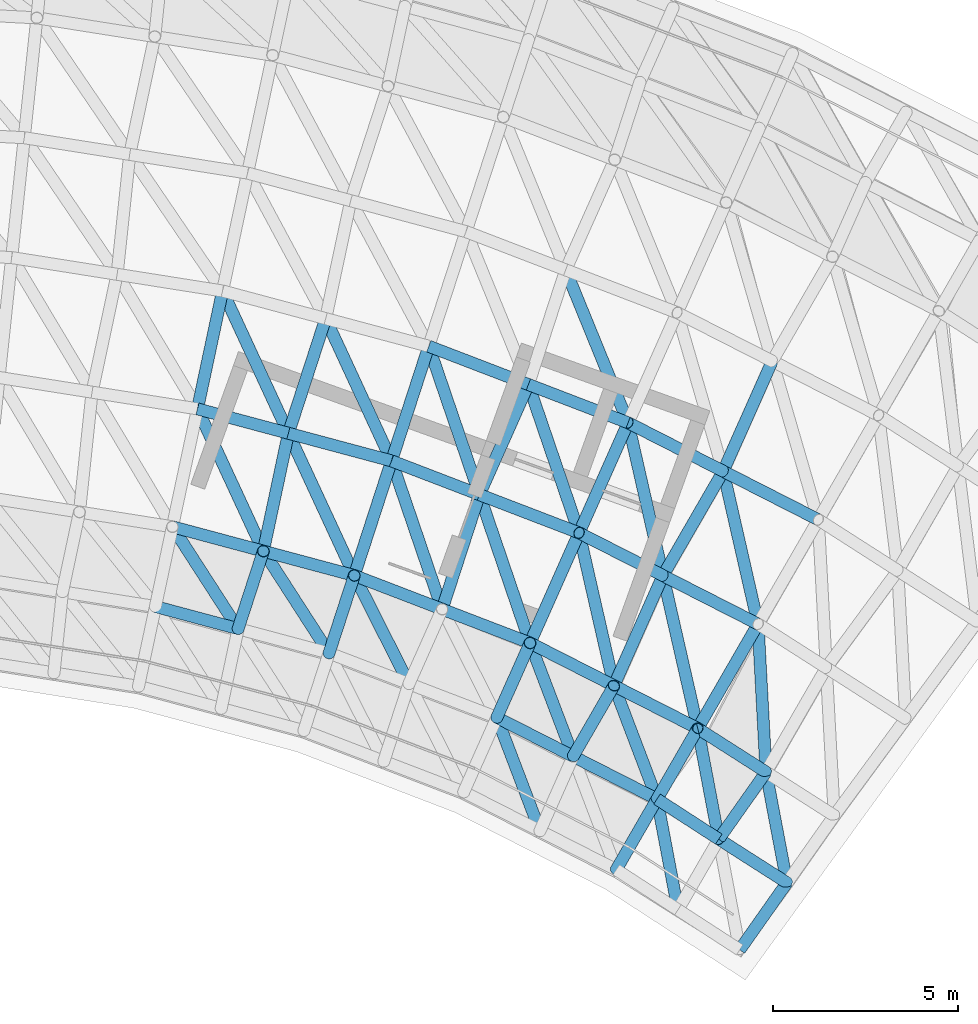
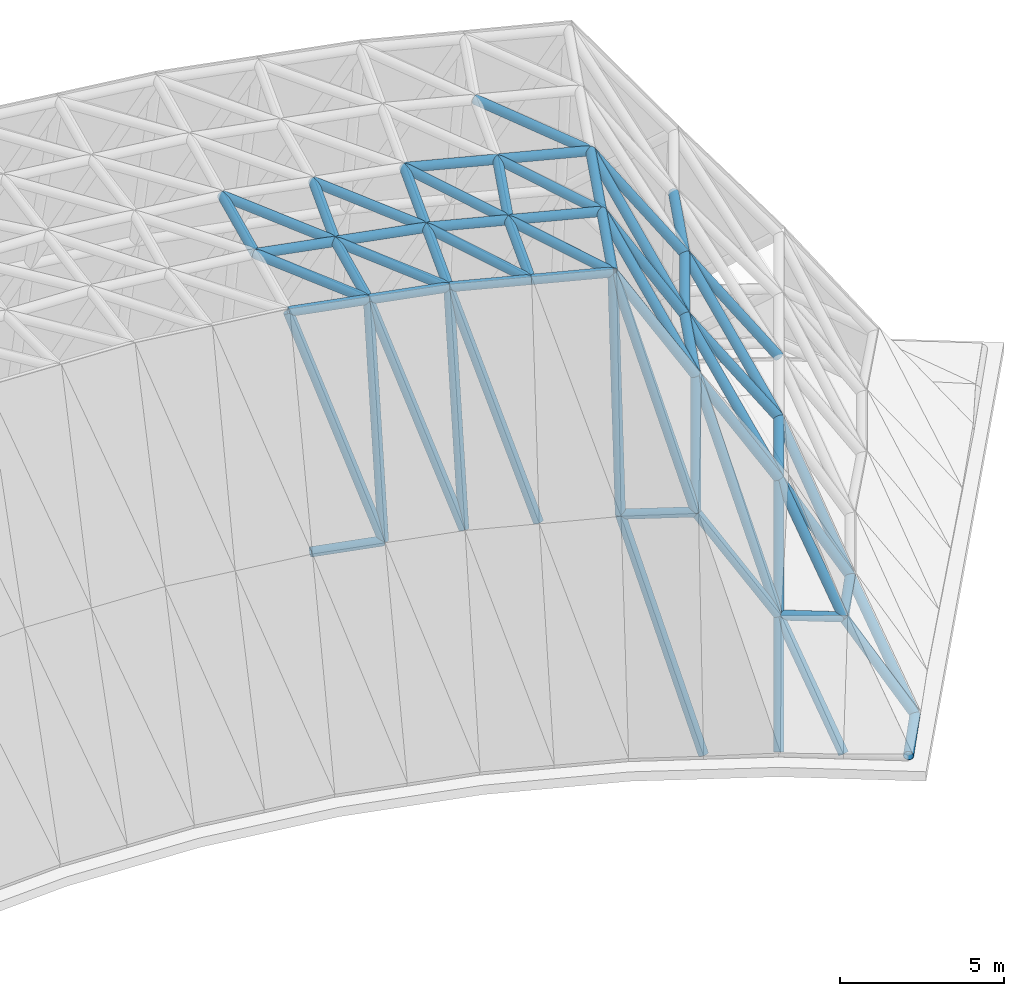
# One storey, part 7 of 20: 66 members.
"""IFC4 building model written with IfcOpenShell, lengths in metres."""

from ifc_helpers import new_model, si_unit, direction, frame, origin, origin_2d, place, context, subcontext, project, spatial, hollow_circle, extrude, material, material_profile, profile_set, type_object, element, save


model = new_model("IFC4")

# Units and contexts
model_context = context("Model", 3, precision=1e-05, world=origin(), true_north=direction((0.0, 1.0)))
body_context = subcontext(model_context, "Body", "Model", "MODEL_VIEW")
ifc_project = project(units=[si_unit("LENGTHUNIT", "METRE"), si_unit("AREAUNIT", "SQUARE_METRE"), si_unit("VOLUMEUNIT", "CUBIC_METRE"), si_unit("PLANEANGLEUNIT", "RADIAN"), si_unit("MASSUNIT", "GRAM", prefix="KILO")], contexts=[model_context])

# Site, building, storey
site_placement = place(None, origin())
site = spatial("IfcSite", under=ifc_project, at=site_placement, CompositionType="ELEMENT")
building_placement = place(site_placement, origin())
building = spatial("IfcBuilding", under=site, at=building_placement, Name="Stone Belt Terrace Tower", CompositionType="ELEMENT")
storey_placement = place(building_placement, frame((0.0, 0.0, 337.39990234375)))
storey = spatial("IfcBuildingStorey", under=building, at=storey_placement, Name="RF", CompositionType="ELEMENT", Elevation=337.39990234375)

# Members
ifc_material = material(Name="Structural steel C345", Category="steel")
ifc_material_profile_1 = material_profile(ifc_material, hollow_circle(Radius=0.16259765625, WallThickness=0.011962890625, at=origin_2d()), Name="Structural steel C345 CHS 325x12")
ifc_profile_set_1 = profile_set([ifc_material_profile_1], Name="Structural steel C345")
member_type_1 = type_object("IfcMemberType", Name="Crown frame tube CHS 325 x 12", PredefinedType="RAFTER", material=ifc_profile_set_1)
member_1_placement = place(storey_placement, frame((10.083740234375, 47.440185546875, 15.16259765625), z_axis=(0.216566561286, -0.335979537074, -0.916633337382), x_axis=(0.840518158746, 0.541783374439, 0.0)))
element("IfcMember", 1, at=member_1_placement, inside=storey, type_object=member_type_1, Name="CROWN FRAME rafter 415", PredefinedType="RAFTER", context=body_context, shape_type="SweptSolid", body=[
    extrude(hollow_circle(Radius=0.16259765625, WallThickness=0.011962890625, at=origin_2d()), origin(), (0.0, 0.0, 1.0), 8.18212890625),
])
member_2_placement = place(storey_placement, frame((14.9873046875, 46.126220703125, 15.16259765625), z_axis=(-0.086962654841, -0.267635067053, -0.959587915486), x_axis=(0.951053644102, -0.309025833938, 0.0)))
element("IfcMember", 2, at=member_2_placement, inside=storey, type_object=member_type_1, Name="CROWN FRAME rafter 463", PredefinedType="RAFTER", context=body_context, shape_type="SweptSolid", body=[
    extrude(hollow_circle(Radius=0.16259765625, WallThickness=0.011962890625, at=origin_2d()), origin(), (0.0, 0.0, 1.0), 7.81591796875),
])
member_3_placement = place(storey_placement, frame((14.9873046875, 46.126220703125, 15.16259765625), z_axis=(0.180284319173, -0.356749308182, -0.91663923949), x_axis=(0.892508000656, 0.45103156072, 0.0)))
element("IfcMember", 3, at=member_3_placement, inside=storey, type_object=member_type_1, Name="CROWN FRAME rafter 465", PredefinedType="RAFTER", context=body_context, shape_type="SweptSolid", body=[
    extrude(hollow_circle(Radius=0.16259765625, WallThickness=0.011962890625, at=origin_2d()), origin(), (0.0, 0.0, 1.0), 8.18212890625),
])
member_4_placement = place(storey_placement, frame((12.535400390625, 46.783203125, 15.16259765625), z_axis=(-0.086961927799, -0.267664065845, -0.959579892958), x_axis=(0.951064242649, -0.30899321409, 0.0)))
element("IfcMember", 4, at=member_4_placement, inside=storey, type_object=member_type_1, Name="CROWN FRAME rafter 466", PredefinedType="RAFTER", context=body_context, shape_type="SweptSolid", body=[
    extrude(hollow_circle(Radius=0.16259765625, WallThickness=0.011962890625, at=origin_2d()), origin(), (0.0, 0.0, 1.0), 7.81591796875),
])
member_5_placement = place(storey_placement, frame((12.535400390625, 46.783203125, 15.16259765625), z_axis=(0.216597171173, -0.335950895473, -0.916636602624), x_axis=(0.84046224976, 0.541870101342, 0.0)))
element("IfcMember", 5, at=member_5_placement, inside=storey, type_object=member_type_1, Name="CROWN FRAME rafter 467", PredefinedType="RAFTER", context=body_context, shape_type="SweptSolid", body=[
    extrude(hollow_circle(Radius=0.16259765625, WallThickness=0.011962890625, at=origin_2d()), origin(), (0.0, 0.0, 1.0), 8.18212890625),
])
member_6_placement = place(storey_placement, frame((22.37060546875, 50.2451171875, 15.16259765625), z_axis=(0.525508822311, -0.267781887276, -0.807547731419), x_axis=(0.454019800421, 0.890991594139, 0.0)))
element("IfcMember", 6, at=member_6_placement, inside=storey, type_object=member_type_1, Name="CROWN FRAME rafter 502", PredefinedType="RAFTER", context=body_context, shape_type="SweptSolid", body=[
    extrude(hollow_circle(Radius=0.16259765625, WallThickness=0.011962890625, at=origin_2d()), origin(), (0.0, 0.0, 1.0), 4.88037109375),
])
member_7_placement = place(storey_placement, frame((22.37060546875, 50.2451171875, 15.16259765625), z_axis=(0.162594865041, -0.713110916281, -0.681935283545), x_axis=(0.974977731924, 0.222302546661, 0.0)))
element("IfcMember", 7, at=member_7_placement, inside=storey, type_object=member_type_1, Name="CROWN FRAME rafter 503", PredefinedType="RAFTER", context=body_context, shape_type="SweptSolid", body=[
    extrude(hollow_circle(Radius=0.16259765625, WallThickness=0.011962890625, at=origin_2d()), origin(), (0.0, 0.0, 1.0), 5.779296875),
])
member_8_placement = place(storey_placement, frame((21.048583984375, 47.27587890625, 15.16259765625), z_axis=(0.482469175256, -0.245765548147, -0.840727536287), x_axis=(0.453895522945, 0.891054910906, 0.0)))
element("IfcMember", 8, at=member_8_placement, inside=storey, type_object=member_type_1, Name="CROWN FRAME rafter 510", PredefinedType="RAFTER", context=body_context, shape_type="SweptSolid", body=[
    extrude(hollow_circle(Radius=0.16259765625, WallThickness=0.011962890625, at=origin_2d()), origin(), (0.0, 0.0, 1.0), 4.687744140625),
])
member_9_placement = place(storey_placement, frame((21.048583984375, 47.27587890625, 15.16259765625), z_axis=(0.162594865041, -0.713110916281, -0.681935283545), x_axis=(0.974977731924, 0.222302546661, 0.0)))
element("IfcMember", 9, at=member_9_placement, inside=storey, type_object=member_type_1, Name="CROWN FRAME rafter 511", PredefinedType="RAFTER", context=body_context, shape_type="SweptSolid", body=[
    extrude(hollow_circle(Radius=0.16259765625, WallThickness=0.011962890625, at=origin_2d()), origin(), (0.0, 0.0, 1.0), 5.779296875),
])
member_10_placement = place(storey_placement, frame((19.726806640625, 44.306884765625, 15.16259765625), z_axis=(-0.114481872174, -0.257076618825, -0.959586115467), x_axis=(0.913513782933, -0.406807778184, 0.0)))
element("IfcMember", 10, at=member_10_placement, inside=storey, type_object=member_type_1, Name="CROWN FRAME rafter 513", PredefinedType="RAFTER", context=body_context, shape_type="SweptSolid", body=[
    extrude(hollow_circle(Radius=0.16259765625, WallThickness=0.011962890625, at=origin_2d()), origin(), (0.0, 0.0, 1.0), 7.81591796875),
])
member_11_placement = place(storey_placement, frame((19.726806640625, 44.306884765625, 15.16259765625), z_axis=(0.482423041061, -0.245820657866, -0.840737898289), x_axis=(0.454010794093, 0.890996183408, 0.0)))
element("IfcMember", 11, at=member_11_placement, inside=storey, type_object=member_type_1, Name="CROWN FRAME rafter 514", PredefinedType="RAFTER", context=body_context, shape_type="SweptSolid", body=[
    extrude(hollow_circle(Radius=0.16259765625, WallThickness=0.011962890625, at=origin_2d()), origin(), (0.0, 0.0, 1.0), 4.687744140625),
])
for number, where, z_axis, x_axis, name in (
    (12, (19.726806640625, 44.306884765625, 15.16259765625), (0.14197246309, -0.373640013201, -0.916644402295), (0.934792504092, 0.35519427683, 0.0), "CROWN FRAME rafter 515"),
    (13, (18.83203125, 42.297607421875, 7.66259765625), (0.142000116965, -0.373664102701, -0.916630299049), (0.934777136089, 0.355234719368, 0.0), "CROWN FRAME rafter 523"),
):
    element("IfcMember", number, at=place(storey_placement, frame(where, z_axis=z_axis, x_axis=x_axis)), inside=storey, type_object=member_type_1, Name=name, PredefinedType="RAFTER", context=body_context, shape_type="SweptSolid", body=[
        extrude(hollow_circle(Radius=0.16259765625, WallThickness=0.011962890625, at=origin_2d()), origin(), (0.0, 0.0, 1.0), 8.18212890625),
    ])
member_12_placement = place(storey_placement, frame((27.5, 47.63134765625, 7.2802734375), z_axis=(-0.525508822311, 0.267781887276, 0.807547731419), x_axis=(-0.454019800421, -0.890991594139, 0.0)))
element("IfcMember", 14, at=member_12_placement, inside=storey, type_object=member_type_1, Name="CROWN FRAME rafter 550", PredefinedType="RAFTER", context=body_context, shape_type="SweptSolid", body=[
    extrude(hollow_circle(Radius=0.16259765625, WallThickness=0.011962890625, at=origin_2d()), origin(), (0.0, 0.0, 1.0), 4.88037109375),
])
member_13_placement = place(storey_placement, frame((24.935302734375, 48.938232421875, 11.221435546875), z_axis=(0.162594865041, -0.713110916281, -0.681935283545), x_axis=(0.974977731924, 0.222302546661, 0.0)))
element("IfcMember", 15, at=member_13_placement, inside=storey, type_object=member_type_1, Name="CROWN FRAME rafter 555", PredefinedType="RAFTER", context=body_context, shape_type="SweptSolid", body=[
    extrude(hollow_circle(Radius=0.16259765625, WallThickness=0.011962890625, at=origin_2d()), origin(), (0.0, 0.0, 1.0), 5.779296875),
])
member_14_placement = place(storey_placement, frame((23.310302734375, 46.123779296875, 11.221435546875), z_axis=(0.525508822311, -0.267781887276, -0.807547731419), x_axis=(0.454019800421, 0.890991594139, 0.0)))
element("IfcMember", 16, at=member_14_placement, inside=storey, type_object=member_type_1, Name="CROWN FRAME rafter 556", PredefinedType="RAFTER", context=body_context, shape_type="SweptSolid", body=[
    extrude(hollow_circle(Radius=0.16259765625, WallThickness=0.011962890625, at=origin_2d()), origin(), (0.0, 0.0, 1.0), 4.88037109375),
])
member_15_placement = place(storey_placement, frame((23.310302734375, 46.123779296875, 11.221435546875), z_axis=(0.162548841208, -0.713136574135, -0.681919424018), x_axis=(0.974993101152, 0.222235129323, 0.0)))
element("IfcMember", 17, at=member_15_placement, inside=storey, type_object=member_type_1, Name="CROWN FRAME rafter 557", PredefinedType="RAFTER", context=body_context, shape_type="SweptSolid", body=[
    extrude(hollow_circle(Radius=0.16259765625, WallThickness=0.011962890625, at=origin_2d()), origin(), (0.0, 0.0, 1.0), 5.779541015625),
])
member_16_placement = place(storey_placement, frame((25.875, 44.81689453125, 7.2802734375), z_axis=(0.040104475645, -0.74569687137, -0.665077294051), x_axis=(0.99855692078, 0.053703593574, 0.0)))
element("IfcMember", 18, at=member_16_placement, inside=storey, type_object=member_type_1, Name="CROWN FRAME rafter 561", PredefinedType="RAFTER", context=body_context, shape_type="SweptSolid", body=[
    extrude(hollow_circle(Radius=0.16259765625, WallThickness=0.011962890625, at=origin_2d()), origin(), (0.0, 0.0, 1.0), 5.35107421875),
])
member_17_placement = place(storey_placement, frame((24.249755859375, 42.002197265625, 7.2802734375), z_axis=(-0.482423041061, 0.245820657866, 0.840737898289), x_axis=(-0.454010794093, -0.890996183408, 0.0)))
element("IfcMember", 19, at=member_17_placement, inside=storey, type_object=member_type_1, Name="CROWN FRAME rafter 562", PredefinedType="RAFTER", context=body_context, shape_type="SweptSolid", body=[
    extrude(hollow_circle(Radius=0.16259765625, WallThickness=0.011962890625, at=origin_2d()), origin(), (0.0, 0.0, 1.0), 4.687744140625),
])
member_18_placement = place(storey_placement, frame((24.249755859375, 42.002197265625, 7.2802734375), z_axis=(-0.262836833842, -0.455295954181, -0.850659974891), x_axis=(0.866048801325, -0.49995947208, 0.0)))
element("IfcMember", 20, at=member_18_placement, inside=storey, type_object=member_type_1, Name="CROWN FRAME rafter 563", PredefinedType="RAFTER", context=body_context, shape_type="SweptSolid", body=[
    extrude(hollow_circle(Radius=0.16259765625, WallThickness=0.011962890625, at=origin_2d()), origin(), (0.0, 0.0, 1.0), 4.18359375),
])
member_19_placement = place(storey_placement, frame((24.249755859375, 42.002197265625, 7.2802734375), z_axis=(0.440660728327, -0.281552734461, -0.852376783018), x_axis=(0.538415746129, 0.842679348459, 0.0)))
element("IfcMember", 21, at=member_19_placement, inside=storey, type_object=member_type_1, Name="CROWN FRAME rafter 564", PredefinedType="RAFTER", context=body_context, shape_type="SweptSolid", body=[
    extrude(hollow_circle(Radius=0.16259765625, WallThickness=0.011962890625, at=origin_2d()), origin(), (0.0, 0.0, 1.0), 4.17529296875),
])
member_20_placement = place(storey_placement, frame((24.249755859375, 42.002197265625, 7.2802734375), z_axis=(0.1208402514, -0.637907130233, -0.760573551236), x_axis=(0.982526579661, 0.186122326067, 0.0)))
element("IfcMember", 22, at=member_20_placement, inside=storey, type_object=member_type_1, Name="CROWN FRAME rafter 565", PredefinedType="RAFTER", context=body_context, shape_type="SweptSolid", body=[
    extrude(hollow_circle(Radius=0.16259765625, WallThickness=0.011962890625, at=origin_2d()), origin(), (0.0, 0.0, 1.0), 4.67919921875),
])
member_21_placement = place(storey_placement, frame((21.98828125, 43.154541015625, 11.221435546875), z_axis=(-0.262891157464, -0.455288970152, -0.85064692616), x_axis=(0.866000736692, -0.500042722224, 0.0)))
element("IfcMember", 23, at=member_21_placement, inside=storey, type_object=member_type_1, Name="CROWN FRAME rafter 566", PredefinedType="RAFTER", context=body_context, shape_type="SweptSolid", body=[
    extrude(hollow_circle(Radius=0.16259765625, WallThickness=0.011962890625, at=origin_2d()), origin(), (0.0, 0.0, 1.0), 4.18359375),
])
member_22_placement = place(storey_placement, frame((21.98828125, 43.154541015625, 11.221435546875), z_axis=(0.142001700155, -0.373638430204, -0.916640518757), x_axis=(0.934767715546, 0.355259507929, 0.0)))
element("IfcMember", 24, at=member_22_placement, inside=storey, type_object=member_type_1, Name="CROWN FRAME rafter 567", PredefinedType="RAFTER", context=body_context, shape_type="SweptSolid", body=[
    extrude(hollow_circle(Radius=0.16259765625, WallThickness=0.011962890625, at=origin_2d()), origin(), (0.0, 0.0, 1.0), 8.18212890625),
])
member_23_placement = place(storey_placement, frame((20.888427734375, 41.249755859375, 7.66259765625), z_axis=(0.48246299937, -0.245814481544, -0.840716774486), x_axis=(0.453971886549, 0.891016007838, 0.0)))
element("IfcMember", 25, at=member_23_placement, inside=storey, type_object=member_type_1, Name="CROWN FRAME rafter 568", PredefinedType="RAFTER", context=body_context, shape_type="SweptSolid", body=[
    extrude(hollow_circle(Radius=0.16259765625, WallThickness=0.011962890625, at=origin_2d()), origin(), (0.0, 0.0, 1.0), 4.687744140625),
])
member_24_placement = place(storey_placement, frame((23.150146484375, 40.097412109375, 3.721435546875), z_axis=(-0.26288417265, -0.455335227345, -0.850624325133), x_axis=(0.866028486751, -0.499994660107, 0.0)))
element("IfcMember", 26, at=member_24_placement, inside=storey, type_object=member_type_1, Name="CROWN FRAME rafter 571", PredefinedType="RAFTER", context=body_context, shape_type="SweptSolid", body=[
    extrude(hollow_circle(Radius=0.16259765625, WallThickness=0.011962890625, at=origin_2d()), origin(), (0.0, 0.0, 1.0), 4.183837890625),
])
for number, where, z_axis, x_axis, name in (
    (27, (23.150146484375, 40.097412109375, 3.721435546875), (0.120788836537, -0.637911151404, -0.760578345658), (0.982541272938, 0.186044744549, 0.0), "CROWN FRAME rafter 573"),
    (28, (26.089599609375, 40.82666015625, 3.721435546875), (0.120788836537, -0.637911151404, -0.760578345658), (0.982541272938, 0.186044744549, 0.0), "CROWN FRAME rafter 603"),
):
    element("IfcMember", number, at=place(storey_placement, frame(where, z_axis=z_axis, x_axis=x_axis)), inside=storey, type_object=member_type_1, Name=name, PredefinedType="RAFTER", context=body_context, shape_type="SweptSolid", body=[
        extrude(hollow_circle(Radius=0.16259765625, WallThickness=0.011962890625, at=origin_2d()), origin(), (0.0, 0.0, 1.0), 4.67919921875),
    ])
member_25_placement = place(storey_placement, frame((24.815185546875, 39.017333984375, 3.721435546875), z_axis=(0.440613607026, -0.281559989095, -0.852398745802), x_axis=(0.538466484222, 0.842646928061, 0.0)))
element("IfcMember", 29, at=member_25_placement, inside=storey, type_object=member_type_1, Name="CROWN FRAME rafter 604", PredefinedType="RAFTER", context=body_context, shape_type="SweptSolid", body=[
    extrude(hollow_circle(Radius=0.16259765625, WallThickness=0.011962890625, at=origin_2d()), origin(), (0.0, 0.0, 1.0), 4.175048828125),
])
ifc_material_profile_2 = material_profile(ifc_material, hollow_circle(Radius=0.16259765625, WallThickness=0.011962890625, at=origin_2d()), Name="Structural steel C345 CHS 325x12")
ifc_profile_set_2 = profile_set([ifc_material_profile_2], Name="Structural steel C345")
member_type_2 = type_object("IfcMemberType", Name="Crown ring and ridge tube CHS 325 x 12", PredefinedType="CHORD", material=ifc_profile_set_2)
member_26_placement = place(storey_placement, frame((11.43505859375, 53.798095703125, 15.16259765625), z_axis=(-0.207861451167, -0.978158278153, 0.0), x_axis=(0.978158278153, -0.207861451167, 0.0)))
element("IfcMember", 30, at=member_26_placement, inside=storey, type_object=member_type_2, Name="CROWN FRAME cap beam 401", PredefinedType="CHORD", context=body_context, shape_type="SweptSolid", body=[
    extrude(hollow_circle(Radius=0.16259765625, WallThickness=0.011962890625, at=origin_2d()), origin(), (0.0, 0.0, 1.0), 3.25),
])
member_27_placement = place(storey_placement, frame((11.43505859375, 53.798095703125, 15.16259765625), z_axis=(0.420167605598, -0.907446518097, 0.0), x_axis=(0.907446518097, 0.420167605598, 0.0)))
element("IfcMember", 31, at=member_27_placement, inside=storey, type_object=member_type_2, Name="CROWN FRAME cap beam 403", PredefinedType="CHORD", context=body_context, shape_type="SweptSolid", body=[
    extrude(hollow_circle(Radius=0.16259765625, WallThickness=0.011962890625, at=origin_2d()), origin(), (0.0, 0.0, 1.0), 4.227294921875),
])
member_28_placement = place(storey_placement, frame((10.759521484375, 50.619140625, 15.16259765625), z_axis=(0.965919713042, -0.258841858972, 0.0), x_axis=(0.258841858972, 0.965919713042, 0.0)))
element("IfcMember", 32, at=member_28_placement, inside=storey, type_object=member_type_2, Name="CROWN FRAME cap beam 410", PredefinedType="CHORD", context=body_context, shape_type="SweptSolid", body=[
    extrude(hollow_circle(Radius=0.16259765625, WallThickness=0.011962890625, at=origin_2d()), origin(), (0.0, 0.0, 1.0), 2.5380859375),
])
member_29_placement = place(storey_placement, frame((10.759521484375, 50.619140625, 15.16259765625), z_axis=(0.420120044984, -0.907468538189, 0.0), x_axis=(0.907468538189, 0.420120044984, 0.0)))
element("IfcMember", 33, at=member_29_placement, inside=storey, type_object=member_type_2, Name="CROWN FRAME cap beam 411", PredefinedType="CHORD", context=body_context, shape_type="SweptSolid", body=[
    extrude(hollow_circle(Radius=0.16259765625, WallThickness=0.011962890625, at=origin_2d()), origin(), (0.0, 0.0, 1.0), 4.22705078125),
])
member_30_placement = place(storey_placement, frame((10.083740234375, 47.440185546875, 15.16259765625), z_axis=(0.965919713042, -0.258841858972, 0.0), x_axis=(0.258841858972, 0.965919713042, 0.0)))
element("IfcMember", 34, at=member_30_placement, inside=storey, type_object=member_type_2, Name="CROWN FRAME cap beam 414", PredefinedType="CHORD", context=body_context, shape_type="SweptSolid", body=[
    extrude(hollow_circle(Radius=0.16259765625, WallThickness=0.011962890625, at=origin_2d()), origin(), (0.0, 0.0, 1.0), 2.5380859375),
])
member_31_placement = place(storey_placement, frame((9.62646484375, 45.28857421875, 7.66259765625), z_axis=(0.96591641286, -0.258854173942, 0.0), x_axis=(0.258854173942, 0.96591641286, 0.0)))
element("IfcMember", 35, at=member_31_placement, inside=storey, type_object=member_type_2, Name="CROWN FRAME cap beam 422", PredefinedType="CHORD", context=body_context, shape_type="SweptSolid", body=[
    extrude(hollow_circle(Radius=0.16259765625, WallThickness=0.011962890625, at=origin_2d()), origin(), (0.0, 0.0, 1.0), 2.307861328125),
])
member_32_placement = place(storey_placement, frame((16.995849609375, 52.30810546875, 15.16259765625), z_axis=(-0.308984150214, -0.951067187383, 0.0), x_axis=(0.951067187383, -0.308984150214, 0.0)))
element("IfcMember", 36, at=member_32_placement, inside=storey, type_object=member_type_2, Name="CROWN FRAME cap beam 451", PredefinedType="CHORD", context=body_context, shape_type="SweptSolid", body=[
    extrude(hollow_circle(Radius=0.16259765625, WallThickness=0.011962890625, at=origin_2d()), origin(), (0.0, 0.0, 1.0), 3.249755859375),
])
member_33_placement = place(storey_placement, frame((16.995849609375, 52.30810546875, 15.16259765625), z_axis=(0.933585858699, -0.358353797856, 0.0), x_axis=(0.358353797856, 0.933585858699, 0.0)))
element("IfcMember", 37, at=member_33_placement, inside=storey, type_object=member_type_2, Name="CROWN FRAME cap beam 452", PredefinedType="CHORD", context=body_context, shape_type="SweptSolid", body=[
    extrude(hollow_circle(Radius=0.16259765625, WallThickness=0.011962890625, at=origin_2d()), origin(), (0.0, 0.0, 1.0), 2.87841796875),
])
member_34_placement = place(storey_placement, frame((16.995849609375, 52.30810546875, 15.16259765625), z_axis=(0.323029046725, -0.946389050535, 0.0), x_axis=(0.946389050535, 0.323029046725, 0.0)))
element("IfcMember", 38, at=member_34_placement, inside=storey, type_object=member_type_2, Name="CROWN FRAME cap beam 453", PredefinedType="CHORD", context=body_context, shape_type="SweptSolid", body=[
    extrude(hollow_circle(Radius=0.16259765625, WallThickness=0.011962890625, at=origin_2d()), origin(), (0.0, 0.0, 1.0), 4.22705078125),
])
member_35_placement = place(storey_placement, frame((14.215576171875, 53.05322265625, 15.16259765625), z_axis=(-0.309030020915, -0.951052283617, 0.0), x_axis=(0.951052283617, -0.309030020915, 0.0)))
element("IfcMember", 39, at=member_35_placement, inside=storey, type_object=member_type_2, Name="CROWN FRAME cap beam 454", PredefinedType="CHORD", context=body_context, shape_type="SweptSolid", body=[
    extrude(hollow_circle(Radius=0.16259765625, WallThickness=0.011962890625, at=origin_2d()), origin(), (0.0, 0.0, 1.0), 3.250244140625),
])
member_36_placement = place(storey_placement, frame((14.215576171875, 53.05322265625, 15.16259765625), z_axis=(0.420167605598, -0.907446518097, 0.0), x_axis=(0.907446518097, 0.420167605598, 0.0)))
element("IfcMember", 40, at=member_36_placement, inside=storey, type_object=member_type_2, Name="CROWN FRAME cap beam 455", PredefinedType="CHORD", context=body_context, shape_type="SweptSolid", body=[
    extrude(hollow_circle(Radius=0.16259765625, WallThickness=0.011962890625, at=origin_2d()), origin(), (0.0, 0.0, 1.0), 4.227294921875),
])
member_37_placement = place(storey_placement, frame((13.211181640625, 49.962158203125, 15.16259765625), z_axis=(0.965940102155, -0.258765760969, 0.0), x_axis=(0.258765760969, 0.965940102155, 0.0)))
element("IfcMember", 41, at=member_37_placement, inside=storey, type_object=member_type_2, Name="CROWN FRAME cap beam 456", PredefinedType="CHORD", context=body_context, shape_type="SweptSolid", body=[
    extrude(hollow_circle(Radius=0.16259765625, WallThickness=0.011962890625, at=origin_2d()), origin(), (0.0, 0.0, 1.0), 2.878662109375),
])
member_38_placement = place(storey_placement, frame((13.211181640625, 49.962158203125, 15.16259765625), z_axis=(0.420167605598, -0.907446518097, 0.0), x_axis=(0.907446518097, 0.420167605598, 0.0)))
element("IfcMember", 42, at=member_38_placement, inside=storey, type_object=member_type_2, Name="CROWN FRAME cap beam 457", PredefinedType="CHORD", context=body_context, shape_type="SweptSolid", body=[
    extrude(hollow_circle(Radius=0.16259765625, WallThickness=0.011962890625, at=origin_2d()), origin(), (0.0, 0.0, 1.0), 4.227294921875),
])
member_39_placement = place(storey_placement, frame((13.211181640625, 49.962158203125, 15.16259765625), z_axis=(-0.207933325345, -0.978143001923, 0.0), x_axis=(0.978143001923, -0.207933325345, 0.0)))
element("IfcMember", 43, at=member_39_placement, inside=storey, type_object=member_type_2, Name="CROWN FRAME cap beam 458", PredefinedType="CHORD", context=body_context, shape_type="SweptSolid", body=[
    extrude(hollow_circle(Radius=0.16259765625, WallThickness=0.011962890625, at=origin_2d()), origin(), (0.0, 0.0, 1.0), 3.25),
])
member_40_placement = place(storey_placement, frame((15.99169921875, 49.21728515625, 15.16259765625), z_axis=(-0.309030020915, -0.951052283617, 0.0), x_axis=(0.951052283617, -0.309030020915, 0.0)))
element("IfcMember", 44, at=member_40_placement, inside=storey, type_object=member_type_2, Name="CROWN FRAME cap beam 459", PredefinedType="CHORD", context=body_context, shape_type="SweptSolid", body=[
    extrude(hollow_circle(Radius=0.16259765625, WallThickness=0.011962890625, at=origin_2d()), origin(), (0.0, 0.0, 1.0), 3.250244140625),
])
member_41_placement = place(storey_placement, frame((15.99169921875, 49.21728515625, 15.16259765625), z_axis=(0.933573485821, -0.358386030102, 0.0), x_axis=(0.358386030102, 0.933573485821, 0.0)))
element("IfcMember", 45, at=member_41_placement, inside=storey, type_object=member_type_2, Name="CROWN FRAME cap beam 460", PredefinedType="CHORD", context=body_context, shape_type="SweptSolid", body=[
    extrude(hollow_circle(Radius=0.16259765625, WallThickness=0.011962890625, at=origin_2d()), origin(), (0.0, 0.0, 1.0), 2.538330078125),
])
member_42_placement = place(storey_placement, frame((15.99169921875, 49.21728515625, 15.16259765625), z_axis=(0.322959662468, -0.946412730482, 0.0), x_axis=(0.946412730482, 0.322959662468, 0.0)))
element("IfcMember", 46, at=member_42_placement, inside=storey, type_object=member_type_2, Name="CROWN FRAME cap beam 461", PredefinedType="CHORD", context=body_context, shape_type="SweptSolid", body=[
    extrude(hollow_circle(Radius=0.16259765625, WallThickness=0.011962890625, at=origin_2d()), origin(), (0.0, 0.0, 1.0), 4.227294921875),
])
for number, where, z_axis, x_axis, name in (
    (47, (14.9873046875, 46.126220703125, 15.16259765625), (-0.965926156653, 0.258817812163, 0.0), (-0.258817812163, -0.965926156653, 0.0), "CROWN FRAME cap beam 462"),
    (48, (14.9873046875, 46.126220703125, 15.16259765625), (0.933573485821, -0.358386030102, 0.0), (0.358386030102, 0.933573485821, 0.0), "CROWN FRAME cap beam 464"),
):
    element("IfcMember", number, at=place(storey_placement, frame(where, z_axis=z_axis, x_axis=x_axis)), inside=storey, type_object=member_type_2, Name=name, PredefinedType="CHORD", context=body_context, shape_type="SweptSolid", body=[
        extrude(hollow_circle(Radius=0.16259765625, WallThickness=0.011962890625, at=origin_2d()), origin(), (0.0, 0.0, 1.0), 2.538330078125),
    ])
member_43_placement = place(storey_placement, frame((20.6875, 54.367431640625, 15.16259765625), z_axis=(0.377998668661, -0.92580613872, 0.0), x_axis=(0.92580613872, 0.377998668661, 0.0)))
element("IfcMember", 49, at=member_43_placement, inside=storey, type_object=member_type_2, Name="CROWN FRAME cap beam 495", PredefinedType="CHORD", context=body_context, shape_type="SweptSolid", body=[
    extrude(hollow_circle(Radius=0.16259765625, WallThickness=0.011962890625, at=origin_2d()), origin(), (0.0, 0.0, 1.0), 4.45263671875),
])
member_44_placement = place(storey_placement, frame((22.37060546875, 50.2451171875, 15.16259765625), z_axis=(-0.933596749447, 0.358325423911, 0.0), x_axis=(-0.358325423911, -0.933596749447, 0.0)))
element("IfcMember", 50, at=member_44_placement, inside=storey, type_object=member_type_2, Name="CROWN FRAME cap beam 500", PredefinedType="CHORD", context=body_context, shape_type="SweptSolid", body=[
    extrude(hollow_circle(Radius=0.16259765625, WallThickness=0.011962890625, at=origin_2d()), origin(), (0.0, 0.0, 1.0), 2.878662109375),
])
member_45_placement = place(storey_placement, frame((22.37060546875, 50.2451171875, 15.16259765625), z_axis=(-0.406744712829, -0.913541864714, 0.0), x_axis=(0.913541864714, -0.406744712829, 0.0)))
element("IfcMember", 51, at=member_45_placement, inside=storey, type_object=member_type_2, Name="CROWN FRAME cap beam 501", PredefinedType="CHORD", context=body_context, shape_type="SweptSolid", body=[
    extrude(hollow_circle(Radius=0.16259765625, WallThickness=0.011962890625, at=origin_2d()), origin(), (0.0, 0.0, 1.0), 3.250244140625),
])
member_46_placement = place(storey_placement, frame((19.68310546875, 51.276611328125, 15.16259765625), z_axis=(-0.406709932569, -0.913557349459, 0.0), x_axis=(0.913557349459, -0.406709932569, 0.0)))
element("IfcMember", 52, at=member_46_placement, inside=storey, type_object=member_type_2, Name="CROWN FRAME cap beam 504", PredefinedType="CHORD", context=body_context, shape_type="SweptSolid", body=[
    extrude(hollow_circle(Radius=0.16259765625, WallThickness=0.011962890625, at=origin_2d()), origin(), (0.0, 0.0, 1.0), 3.25),
])
member_47_placement = place(storey_placement, frame((19.68310546875, 51.276611328125, 15.16259765625), z_axis=(0.323011390995, -0.946395076745, 0.0), x_axis=(0.946395076745, 0.323011390995, 0.0)))
element("IfcMember", 53, at=member_47_placement, inside=storey, type_object=member_type_2, Name="CROWN FRAME cap beam 505", PredefinedType="CHORD", context=body_context, shape_type="SweptSolid", body=[
    extrude(hollow_circle(Radius=0.16259765625, WallThickness=0.011962890625, at=origin_2d()), origin(), (0.0, 0.0, 1.0), 4.227294921875),
])
member_48_placement = place(storey_placement, frame((18.361328125, 48.3076171875, 15.16259765625), z_axis=(0.933557480608, -0.35842771991, 0.0), x_axis=(0.35842771991, 0.933557480608, 0.0)))
element("IfcMember", 54, at=member_48_placement, inside=storey, type_object=member_type_2, Name="CROWN FRAME cap beam 506", PredefinedType="CHORD", context=body_context, shape_type="SweptSolid", body=[
    extrude(hollow_circle(Radius=0.16259765625, WallThickness=0.011962890625, at=origin_2d()), origin(), (0.0, 0.0, 1.0), 2.87841796875),
])
member_49_placement = place(storey_placement, frame((18.361328125, 48.3076171875, 15.16259765625), z_axis=(0.323011390995, -0.946395076745, 0.0), x_axis=(0.946395076745, 0.323011390995, 0.0)))
element("IfcMember", 55, at=member_49_placement, inside=storey, type_object=member_type_2, Name="CROWN FRAME cap beam 507", PredefinedType="CHORD", context=body_context, shape_type="SweptSolid", body=[
    extrude(hollow_circle(Radius=0.16259765625, WallThickness=0.011962890625, at=origin_2d()), origin(), (0.0, 0.0, 1.0), 4.227294921875),
])
member_50_placement = place(storey_placement, frame((18.361328125, 48.3076171875, 15.16259765625), z_axis=(-0.309030020915, -0.951052283617, 0.0), x_axis=(0.951052283617, -0.309030020915, 0.0)))
element("IfcMember", 56, at=member_50_placement, inside=storey, type_object=member_type_2, Name="CROWN FRAME cap beam 508", PredefinedType="CHORD", context=body_context, shape_type="SweptSolid", body=[
    extrude(hollow_circle(Radius=0.16259765625, WallThickness=0.011962890625, at=origin_2d()), origin(), (0.0, 0.0, 1.0), 3.250244140625),
])
member_51_placement = place(storey_placement, frame((21.048583984375, 47.27587890625, 15.16259765625), z_axis=(-0.406709932569, -0.913557349459, 0.0), x_axis=(0.913557349459, -0.406709932569, 0.0)))
element("IfcMember", 57, at=member_51_placement, inside=storey, type_object=member_type_2, Name="CROWN FRAME cap beam 509", PredefinedType="CHORD", context=body_context, shape_type="SweptSolid", body=[
    extrude(hollow_circle(Radius=0.16259765625, WallThickness=0.011962890625, at=origin_2d()), origin(), (0.0, 0.0, 1.0), 3.25),
])
member_52_placement = place(storey_placement, frame((19.726806640625, 44.306884765625, 15.16259765625), z_axis=(-0.933585838236, 0.358353851166, 0.0), x_axis=(-0.358353851166, -0.933585838236, 0.0)))
element("IfcMember", 58, at=member_52_placement, inside=storey, type_object=member_type_2, Name="CROWN FRAME cap beam 512", PredefinedType="CHORD", context=body_context, shape_type="SweptSolid", body=[
    extrude(hollow_circle(Radius=0.16259765625, WallThickness=0.011962890625, at=origin_2d()), origin(), (0.0, 0.0, 1.0), 2.53857421875),
])
member_53_placement = place(storey_placement, frame((18.83203125, 42.297607421875, 7.66259765625), z_axis=(0.890995093193, -0.454012933632, 0.0), x_axis=(0.454012933632, 0.890995093193, 0.0)))
element("IfcMember", 59, at=member_53_placement, inside=storey, type_object=member_type_2, Name="CROWN FRAME cap beam 522", PredefinedType="CHORD", context=body_context, shape_type="SweptSolid", body=[
    extrude(hollow_circle(Radius=0.16259765625, WallThickness=0.011962890625, at=origin_2d()), origin(), (0.0, 0.0, 1.0), 2.307861328125),
])
for number, where, z_axis, x_axis, name in (
    (60, (26.257080078125, 51.9072265625, 11.221435546875), (-0.406709932569, -0.913557349459, 0.0), (0.913557349459, -0.406709932569, 0.0), "CROWN FRAME cap beam 546"),
    (61, (24.935302734375, 48.938232421875, 11.221435546875), (-0.500017246033, -0.866015446554, 0.0), (0.866015446554, -0.500017246033, 0.0), "CROWN FRAME cap beam 554"),
):
    element("IfcMember", number, at=place(storey_placement, frame(where, z_axis=z_axis, x_axis=x_axis)), inside=storey, type_object=member_type_2, Name=name, PredefinedType="CHORD", context=body_context, shape_type="SweptSolid", body=[
        extrude(hollow_circle(Radius=0.16259765625, WallThickness=0.011962890625, at=origin_2d()), origin(), (0.0, 0.0, 1.0), 3.25),
    ])
for number, where, z_axis, x_axis, name in (
    (62, (23.310302734375, 46.123779296875, 11.221435546875), (-0.406744712829, -0.913541864714, 0.0), (0.913541864714, -0.406744712829, 0.0), "CROWN FRAME cap beam 558"),
    (63, (25.875, 44.81689453125, 7.2802734375), (-0.500041054325, -0.866001699761, 0.0), (0.866001699761, -0.500041054325, 0.0), "CROWN FRAME cap beam 559"),
):
    element("IfcMember", number, at=place(storey_placement, frame(where, z_axis=z_axis, x_axis=x_axis)), inside=storey, type_object=member_type_2, Name=name, PredefinedType="CHORD", context=body_context, shape_type="SweptSolid", body=[
        extrude(hollow_circle(Radius=0.16259765625, WallThickness=0.011962890625, at=origin_2d()), origin(), (0.0, 0.0, 1.0), 3.250244140625),
    ])
member_54_placement = place(storey_placement, frame((23.150146484375, 40.097412109375, 3.721435546875), z_axis=(0.838949143626, -0.544209825719, 0.0), x_axis=(0.544209825719, 0.838949143626, 0.0)))
element("IfcMember", 64, at=member_54_placement, inside=storey, type_object=member_type_2, Name="CROWN FRAME cap beam 572", PredefinedType="CHORD", context=body_context, shape_type="SweptSolid", body=[
    extrude(hollow_circle(Radius=0.16259765625, WallThickness=0.011962890625, at=origin_2d()), origin(), (0.0, 0.0, 1.0), 1.984619140625),
])
for number, where, z_axis, x_axis, name in (
    (65, (26.089599609375, 40.82666015625, 3.721435546875), (-0.575851322522, -0.817554435098, 0.0), (0.817554435098, -0.575851322522, 0.0), "CROWN FRAME cap beam 602"),
    (66, (26.65478515625, 37.841796875, 0.16259765625), (-0.575851322522, -0.817554435098, 0.0), (0.817554435098, -0.575851322522, 0.0), "CROWN FRAME ring beam 607"),
):
    element("IfcMember", number, at=place(storey_placement, frame(where, z_axis=z_axis, x_axis=x_axis)), inside=storey, type_object=member_type_2, Name=name, PredefinedType="CHORD", context=body_context, shape_type="SweptSolid", body=[
        extrude(hollow_circle(Radius=0.16259765625, WallThickness=0.011962890625, at=origin_2d()), origin(), (0.0, 0.0, 1.0), 2.213134765625),
    ])

save(model, "model.ifc")
